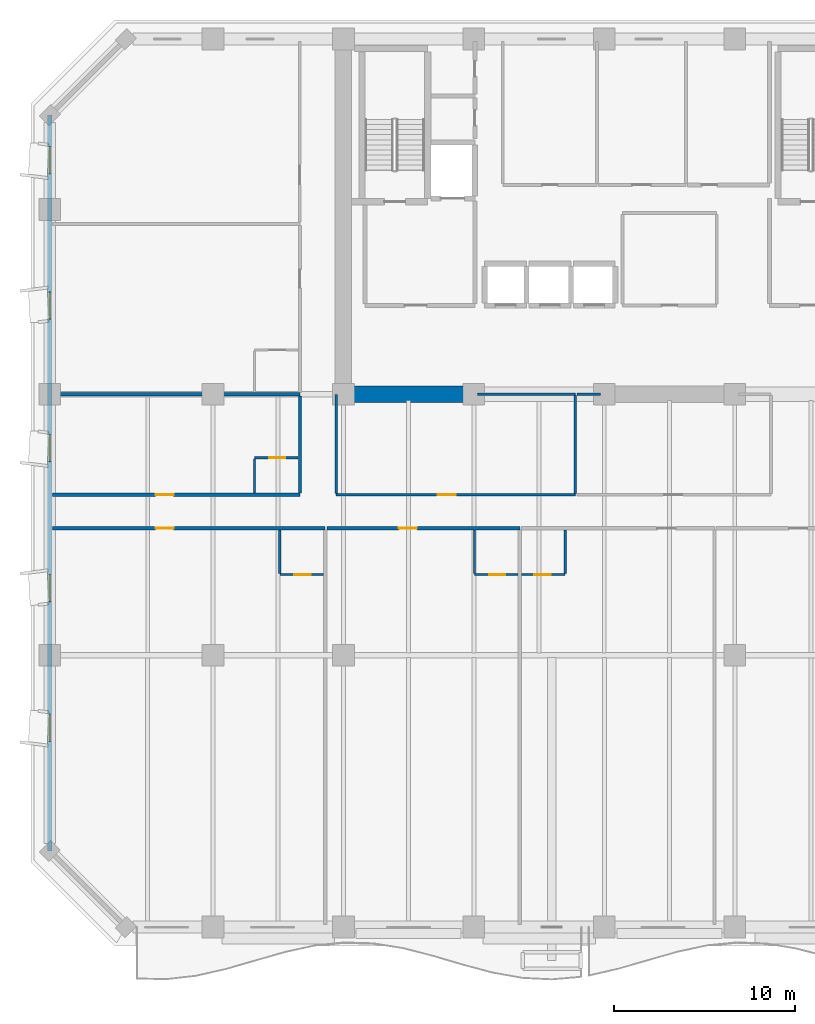
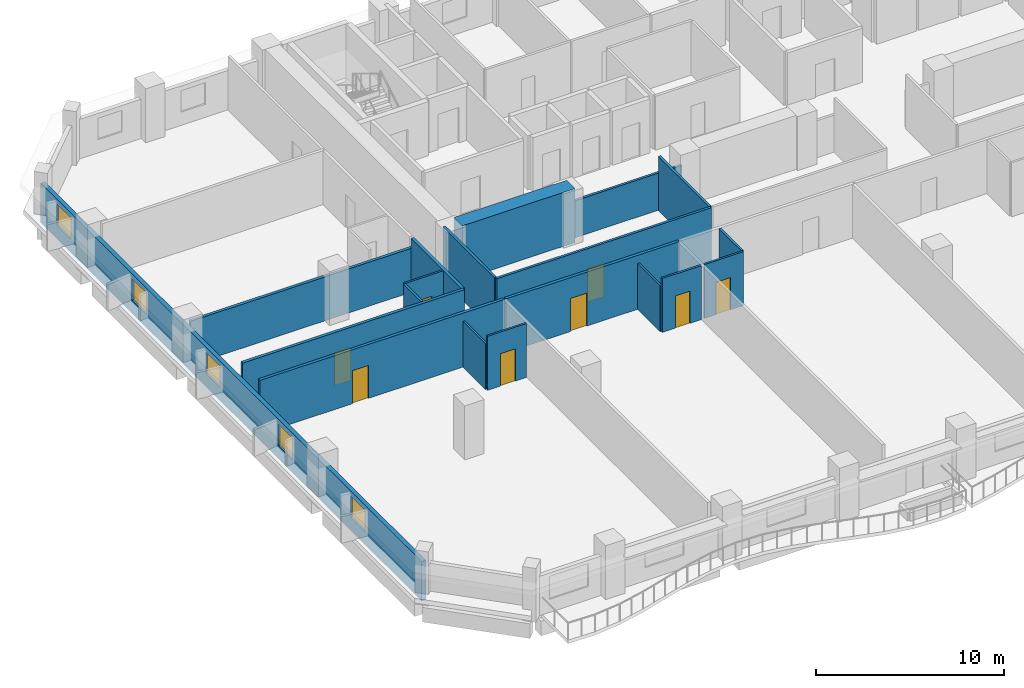
# One storey, part 4 of 15: 20 walls, 8 doors, 5 windows, 13 openings.
"""IFC4 building model written with IfcOpenShell, lengths in metres."""

from ifc_helpers import new_model, si_unit, direction, frame, frame_2d, origin, place, context, subcontext, project, spatial, rectangle, extrude, material, layer, layer_set, type_object, element, fill, save


model = new_model("IFC4")

# Units and contexts
model_context = context("Model", 3, precision=1e-05, world=origin(), true_north=direction((0.0, 1.0)))
body_context = subcontext(model_context, "Body", "Model", "MODEL_VIEW")
ifc_project = project(units=[si_unit("LENGTHUNIT", "METRE"), si_unit("AREAUNIT", "SQUARE_METRE"), si_unit("VOLUMEUNIT", "CUBIC_METRE"), si_unit("PLANEANGLEUNIT", "RADIAN"), si_unit("MASSUNIT", "GRAM", prefix="KILO")], contexts=[model_context])

# Site, building, storey
site_placement = place(None, origin())
site = spatial("IfcSite", under=ifc_project, at=site_placement, CompositionType="ELEMENT")
building_placement = place(site_placement, origin())
building = spatial("IfcBuilding", under=site, at=building_placement, Name="Kaelvorn Grand Hotel", CompositionType="ELEMENT")
storey_placement = place(building_placement, frame((0.0, 0.0, 100.550048828125)))
storey = spatial("IfcBuildingStorey", under=building, at=storey_placement, Name="L23", CompositionType="ELEMENT", Elevation=100.550048828125)

# Wall
ifc_material_1 = material(Name="Concrete C60/75", Category="concrete")
ifc_layer_1 = layer(ifc_material_1, 0.89990234375)
ifc_layer_set_1 = layer_set([ifc_layer_1], Name="Concrete C60/75")
wall_type_1 = type_object("IfcWallType", Name="WL-CORE-900-C60", PredefinedType="SHEAR", material=ifc_layer_set_1)
wall_1_placement = place(storey_placement, frame((16.655029296875, 29.39990234375, 0.0), z_axis=(0.0, 0.0, 1.0), x_axis=(1.0, 0.0, 0.0)))
element("IfcWall", 1, at=wall_1_placement, inside=storey, type_object=wall_type_1, Name="L23 Rear-Core Coupled Shear Pier S1", PredefinedType="SHEAR", context=body_context, shape_type="SweptSolid", body=[
    extrude(rectangle(XDim=6.945068359375, YDim=0.89990234375, at=frame_2d((3.47265625, 0.0))), origin(), (0.0, 0.0, 1.0), 3.510009765625),
])

# Wall, openings, windows
ifc_material_2 = material(Name="Concrete C40/50", Category="concrete")
ifc_layer_2 = layer(ifc_material_2, 0.260009765625)
ifc_layer_set_2 = layer_set([ifc_layer_2], Name="Concrete C40/50")
wall_type_2 = type_object("IfcWallType", Name="WL-EXT-260-C40", PredefinedType="SOLIDWALL", material=ifc_layer_set_2)
wall_2_placement = place(storey_placement, frame((0.0, 44.800048828125, 0.0), z_axis=(0.0, 0.0, 1.0), x_axis=(0.0, -1.0, 0.0)))
wall_2 = element("IfcWall", 2, at=wall_2_placement, inside=storey, type_object=wall_type_2, Name="L23 Exterior Architectural Concrete Wall 07", PredefinedType="SOLIDWALL", context=body_context, shape_type="SweptSolid", body=[
    extrude(rectangle(XDim=40.60009765625, YDim=0.260009765625, at=frame_2d((20.300048828125, 0.0))), origin(), (0.0, 0.0, 1.0), 2.56005859375),
])
opening_1_placement = place(wall_2_placement, frame((33.050048828125, 0.0, 0.85009765625)))
opening_1 = element("IfcOpeningElement", 3, at=opening_1_placement, cuts=wall_2, Name="Opening W10", PredefinedType="OPENING", context=body_context, shape_type="SweptSolid", body=[
    extrude(rectangle(XDim=1.5, YDim=1.39990234375, at=frame_2d((0.75, 0.699951171875))), frame((0.0, 0.14013671875, 0.0), z_axis=(0.0, -1.0, 0.0), x_axis=(1.0, 0.0, 0.0)), (0.0, 0.0, 1.0), 0.280029296875),
])
opening_2_placement = place(wall_2_placement, frame((25.35009765625, 0.0, 0.85009765625)))
opening_2 = element("IfcOpeningElement", 4, at=opening_2_placement, cuts=wall_2, Name="Opening W10", PredefinedType="OPENING", context=body_context, shape_type="SweptSolid", body=[
    extrude(rectangle(XDim=1.5, YDim=1.39990234375, at=frame_2d((0.75, 0.699951171875))), frame((0.0, 0.14013671875, 0.0), z_axis=(0.0, -1.0, 0.0), x_axis=(1.0, 0.0, 0.0)), (0.0, 0.0, 1.0), 0.280029296875),
])
opening_3_placement = place(wall_2_placement, frame((17.625, 0.0, 0.85009765625)))
opening_3 = element("IfcOpeningElement", 5, at=opening_3_placement, cuts=wall_2, Name="Opening W10", PredefinedType="OPENING", context=body_context, shape_type="SweptSolid", body=[
    extrude(rectangle(XDim=1.5, YDim=1.39990234375, at=frame_2d((0.75, 0.699951171875))), frame((0.0, 0.14013671875, 0.0), z_axis=(0.0, -1.0, 0.0), x_axis=(1.0, 0.0, 0.0)), (0.0, 0.0, 1.0), 0.280029296875),
])
opening_4_placement = place(wall_2_placement, frame((9.75, 0.0, 0.85009765625)))
opening_4 = element("IfcOpeningElement", 6, at=opening_4_placement, cuts=wall_2, Name="Opening W10", PredefinedType="OPENING", context=body_context, shape_type="SweptSolid", body=[
    extrude(rectangle(XDim=1.5, YDim=1.39990234375, at=frame_2d((0.75, 0.699951171875))), frame((0.0, 0.14013671875, 0.0), z_axis=(0.0, -1.0, 0.0), x_axis=(1.0, 0.0, 0.0)), (0.0, 0.0, 1.0), 0.280029296875),
])
opening_5_placement = place(wall_2_placement, frame((1.735107421875, 0.0, 0.85009765625)))
opening_5 = element("IfcOpeningElement", 7, at=opening_5_placement, cuts=wall_2, Name="Opening W10", PredefinedType="OPENING", context=body_context, shape_type="SweptSolid", body=[
    extrude(rectangle(XDim=1.5, YDim=1.39990234375, at=frame_2d((0.75, 0.699951171875))), frame((0.0, 0.14013671875, 0.0), z_axis=(0.0, -1.0, 0.0), x_axis=(1.0, 0.0, 0.0)), (0.0, 0.0, 1.0), 0.280029296875),
])
ifc_material_3 = material(Name="Laminated Low-E Glass", Category="glass")
window_type = type_object("IfcWindowType", Name="WIN-COR-1500x1400", PartitioningType="SINGLE_PANEL", PredefinedType="WINDOW", material=ifc_material_3)
window_1_placement = place(opening_1_placement, origin())
window_1 = element("IfcWindow", 8, at=window_1_placement, inside=storey, type_object=window_type, Name="L23 W Wing Tilted-Frame Ribbon Window W01", OverallHeight=1.39990234375, OverallWidth=1.5, PartitioningType="SINGLE_PANEL", PredefinedType="WINDOW", context=body_context, shape_type="SweptSolid", body=[
    extrude(rectangle(XDim=1.5, YDim=1.39990234375, at=frame_2d((0.75, 0.699951171875))), frame((0.0, 0.030029296875, 0.0), z_axis=(0.0, -1.0, 0.0), x_axis=(1.0, 0.0, 0.0)), (0.0, 0.0, 1.0), 0.06005859375),
])
fill(opening_1, window_1)
window_2_placement = place(opening_2_placement, origin())
window_2 = element("IfcWindow", 9, at=window_2_placement, inside=storey, type_object=window_type, Name="L23 W Wing Tilted-Frame Ribbon Window W02", OverallHeight=1.39990234375, OverallWidth=1.5, PartitioningType="SINGLE_PANEL", PredefinedType="WINDOW", context=body_context, shape_type="SweptSolid", body=[
    extrude(rectangle(XDim=1.5, YDim=1.39990234375, at=frame_2d((0.75, 0.699951171875))), frame((0.0, 0.030029296875, 0.0), z_axis=(0.0, -1.0, 0.0), x_axis=(1.0, 0.0, 0.0)), (0.0, 0.0, 1.0), 0.06005859375),
])
fill(opening_2, window_2)
window_3_placement = place(opening_3_placement, origin())
window_3 = element("IfcWindow", 10, at=window_3_placement, inside=storey, type_object=window_type, Name="L23 W Wing Tilted-Frame Ribbon Window W03", OverallHeight=1.39990234375, OverallWidth=1.5, PartitioningType="SINGLE_PANEL", PredefinedType="WINDOW", context=body_context, shape_type="SweptSolid", body=[
    extrude(rectangle(XDim=1.5, YDim=1.39990234375, at=frame_2d((0.75, 0.699951171875))), frame((0.0, 0.030029296875, 0.0), z_axis=(0.0, -1.0, 0.0), x_axis=(1.0, 0.0, 0.0)), (0.0, 0.0, 1.0), 0.06005859375),
])
fill(opening_3, window_3)
window_4_placement = place(opening_4_placement, origin())
window_4 = element("IfcWindow", 11, at=window_4_placement, inside=storey, type_object=window_type, Name="L23 W Wing Tilted-Frame Ribbon Window W04", OverallHeight=1.39990234375, OverallWidth=1.5, PartitioningType="SINGLE_PANEL", PredefinedType="WINDOW", context=body_context, shape_type="SweptSolid", body=[
    extrude(rectangle(XDim=1.5, YDim=1.39990234375, at=frame_2d((0.75, 0.699951171875))), frame((0.0, 0.030029296875, 0.0), z_axis=(0.0, -1.0, 0.0), x_axis=(1.0, 0.0, 0.0)), (0.0, 0.0, 1.0), 0.06005859375),
])
fill(opening_4, window_4)
window_5_placement = place(opening_5_placement, origin())
window_5 = element("IfcWindow", 12, at=window_5_placement, inside=storey, type_object=window_type, Name="L23 W Wing Tilted-Frame Ribbon Window W05", OverallHeight=1.39990234375, OverallWidth=1.5, PartitioningType="SINGLE_PANEL", PredefinedType="WINDOW", context=body_context, shape_type="SweptSolid", body=[
    extrude(rectangle(XDim=1.5, YDim=1.39990234375, at=frame_2d((0.75, 0.699951171875))), frame((0.0, 0.030029296875, 0.0), z_axis=(0.0, -1.0, 0.0), x_axis=(1.0, 0.0, 0.0)), (0.0, 0.0, 1.0), 0.06005859375),
])
fill(opening_5, window_5)

# Wall, opening, door
ifc_material_4 = material(Name="Moisture-Resistant Tile & Stud Board")
ifc_layer_3 = layer(ifc_material_4, 0.125)
ifc_layer_set_3 = layer_set([ifc_layer_3], Name="Moisture-Resistant Tile & Stud Board")
wall_type_3 = type_object("IfcWallType", Name="WL-PART-125-WET", PredefinedType="PARTITIONING", material=ifc_layer_set_3)
wall_3_placement = place(storey_placement, frame((12.69287109375, 19.449951171875, 0.0), z_axis=(0.0, 0.0, 1.0), x_axis=(1.0, 0.0, 0.0)))
wall_3 = element("IfcWall", 13, at=wall_3_placement, inside=storey, type_object=wall_type_3, Name="L23 En-suite Bathroom L23-01 S Partition", PredefinedType="PARTITIONING", context=body_context, shape_type="SweptSolid", body=[
    extrude(rectangle(XDim=2.405029296875, YDim=0.125, at=frame_2d((1.20263671875, 0.0))), origin(), (0.0, 0.0, 1.0), 3.510009765625),
])
opening_6_placement = place(wall_3_placement, frame((0.800048828125, 0.0, 0.0)))
opening_6 = element("IfcOpeningElement", 14, at=opening_6_placement, cuts=wall_3, Name="Opening DI4", PredefinedType="OPENING", context=body_context, shape_type="SweptSolid", body=[
    extrude(rectangle(XDim=0.89990234375, YDim=2.10009765625, at=frame_2d((0.449951171875, 1.050048828125))), frame((0.0, 0.072509765625, 0.0), z_axis=(0.0, -1.0, 0.0), x_axis=(1.0, 0.0, 0.0)), (0.0, 0.0, 1.0), 0.14501953125),
])
ifc_material_5 = material(Name="Timber Veneer Leaf", Category="wood")
door_type_1 = type_object("IfcDoorType", Name="DR-INT-BATH-900x2100", OperationType="NOTDEFINED", PredefinedType="DOOR", material=ifc_material_5)
door_1_placement = place(opening_6_placement, origin())
door_1 = element("IfcDoor", 15, at=door_1_placement, inside=storey, type_object=door_type_1, Name="L23 En-suite Bathroom L23-01 Door", OperationType="SINGLE_SWING_LEFT", OverallHeight=2.10009765625, OverallWidth=0.89990234375, PredefinedType="DOOR", context=body_context, shape_type="SweptSolid", body=[
    extrude(rectangle(XDim=0.89990234375, YDim=2.10009765625, at=frame_2d((0.449951171875, 1.050048828125))), frame((0.0, 0.02490234375, 0.0), z_axis=(0.0, -1.0, 0.0), x_axis=(1.0, 0.0, 0.0)), (0.0, 0.0, 1.0), 0.050048828125),
])
fill(opening_6, door_1)

# Wall
wall_4_placement = place(storey_placement, frame((12.69287109375, 19.517578125, 0.0), z_axis=(0.0, 0.0, 1.0), x_axis=(0.0, 1.0, 0.0)))
element("IfcWall", 16, at=wall_4_placement, inside=storey, type_object=wall_type_3, Name="L23 En-suite Bathroom L23-01 W Partition", PredefinedType="PARTITIONING", context=body_context, shape_type="SweptSolid", body=[
    extrude(rectangle(XDim=2.387451171875, YDim=0.125, at=frame_2d((1.19384765625, 0.0))), origin(), (0.0, 0.0, 1.0), 2.976806640625),
])

# Wall, opening, door
wall_5_placement = place(storey_placement, frame((23.435791015625, 19.449951171875, 0.0), z_axis=(0.0, 0.0, 1.0), x_axis=(1.0, 0.0, 0.0)))
wall_5 = element("IfcWall", 17, at=wall_5_placement, inside=storey, type_object=wall_type_3, Name="L23 En-suite Bathroom L23-02 S Partition", PredefinedType="PARTITIONING", context=body_context, shape_type="SweptSolid", body=[
    extrude(rectangle(XDim=2.405029296875, YDim=0.125, at=frame_2d((1.20263671875, 0.0))), origin(), (0.0, 0.0, 1.0), 3.510009765625),
])
opening_7_placement = place(wall_5_placement, frame((0.800048828125, 0.0, 0.0)))
opening_7 = element("IfcOpeningElement", 18, at=opening_7_placement, cuts=wall_5, Name="Opening DI4", PredefinedType="OPENING", context=body_context, shape_type="SweptSolid", body=[
    extrude(rectangle(XDim=0.89990234375, YDim=2.10009765625, at=frame_2d((0.449951171875, 1.050048828125))), frame((0.0, 0.072509765625, 0.0), z_axis=(0.0, -1.0, 0.0), x_axis=(1.0, 0.0, 0.0)), (0.0, 0.0, 1.0), 0.14501953125),
])
door_2_placement = place(opening_7_placement, origin())
door_2 = element("IfcDoor", 19, at=door_2_placement, inside=storey, type_object=door_type_1, Name="L23 En-suite Bathroom L23-02 Door", OperationType="SINGLE_SWING_LEFT", OverallHeight=2.10009765625, OverallWidth=0.89990234375, PredefinedType="DOOR", context=body_context, shape_type="SweptSolid", body=[
    extrude(rectangle(XDim=0.89990234375, YDim=2.10009765625, at=frame_2d((0.449951171875, 1.050048828125))), frame((0.0, 0.02490234375, 0.0), z_axis=(0.0, -1.0, 0.0), x_axis=(1.0, 0.0, 0.0)), (0.0, 0.0, 1.0), 0.050048828125),
])
fill(opening_7, door_2)

# Wall
wall_6_placement = place(storey_placement, frame((23.435791015625, 19.517578125, 0.0), z_axis=(0.0, 0.0, 1.0), x_axis=(0.0, 1.0, 0.0)))
element("IfcWall", 20, at=wall_6_placement, inside=storey, type_object=wall_type_3, Name="L23 En-suite Bathroom L23-02 W Partition", PredefinedType="PARTITIONING", context=body_context, shape_type="SweptSolid", body=[
    extrude(rectangle(XDim=2.387451171875, YDim=0.125, at=frame_2d((1.19384765625, 0.0))), origin(), (0.0, 0.0, 1.0), 2.976806640625),
])

# Wall, opening, door
wall_7_placement = place(storey_placement, frame((26.03076171875, 19.449951171875, 0.0), z_axis=(0.0, 0.0, 1.0), x_axis=(1.0, 0.0, 0.0)))
wall_7 = element("IfcWall", 21, at=wall_7_placement, inside=storey, type_object=wall_type_3, Name="L23 En-suite Bathroom L23-03 S Partition", PredefinedType="PARTITIONING", context=body_context, shape_type="SweptSolid", body=[
    extrude(rectangle(XDim=2.405029296875, YDim=0.125, at=frame_2d((1.20263671875, 0.0))), origin(), (0.0, 0.0, 1.0), 3.510009765625),
])
opening_8_placement = place(wall_7_placement, frame((0.705078125, 0.0, 0.0)))
opening_8 = element("IfcOpeningElement", 22, at=opening_8_placement, cuts=wall_7, Name="Opening DI4", PredefinedType="OPENING", context=body_context, shape_type="SweptSolid", body=[
    extrude(rectangle(XDim=0.89990234375, YDim=2.10009765625, at=frame_2d((0.449951171875, 1.050048828125))), frame((0.0, 0.072509765625, 0.0), z_axis=(0.0, -1.0, 0.0), x_axis=(1.0, 0.0, 0.0)), (0.0, 0.0, 1.0), 0.14501953125),
])
door_3_placement = place(opening_8_placement, origin())
door_3 = element("IfcDoor", 23, at=door_3_placement, inside=storey, type_object=door_type_1, Name="L23 En-suite Bathroom L23-03 Door", OperationType="SINGLE_SWING_LEFT", OverallHeight=2.10009765625, OverallWidth=0.89990234375, PredefinedType="DOOR", context=body_context, shape_type="SweptSolid", body=[
    extrude(rectangle(XDim=0.89990234375, YDim=2.10009765625, at=frame_2d((0.449951171875, 1.050048828125))), frame((0.0, 0.02490234375, 0.0), z_axis=(0.0, -1.0, 0.0), x_axis=(1.0, 0.0, 0.0)), (0.0, 0.0, 1.0), 0.050048828125),
])
fill(opening_8, door_3)

# Wall
wall_8_placement = place(storey_placement, frame((28.435791015625, 19.517578125, 0.0), z_axis=(0.0, 0.0, 1.0), x_axis=(0.0, 1.0, 0.0)))
element("IfcWall", 24, at=wall_8_placement, inside=storey, type_object=wall_type_3, Name="L23 En-suite Bathroom L23-03 E Partition", PredefinedType="PARTITIONING", context=body_context, shape_type="SweptSolid", body=[
    extrude(rectangle(XDim=2.387451171875, YDim=0.125, at=frame_2d((1.19384765625, 0.0))), origin(), (0.0, 0.0, 1.0), 3.510009765625),
])

# Wall, opening, door
wall_9_placement = place(storey_placement, frame((11.300048828125, 25.89990234375, 0.0), z_axis=(0.0, 0.0, 1.0), x_axis=(1.0, 0.0, 0.0)))
wall_9 = element("IfcWall", 25, at=wall_9_placement, inside=storey, type_object=wall_type_3, Name="L23 En-suite Bathroom L23-08 N Partition", PredefinedType="PARTITIONING", context=body_context, shape_type="SweptSolid", body=[
    extrude(rectangle(XDim=2.405029296875, YDim=0.125, at=frame_2d((1.20263671875, 0.0))), origin(), (0.0, 0.0, 1.0), 3.510009765625),
])
opening_9_placement = place(wall_9_placement, frame((0.800048828125, 0.0, 0.0)))
opening_9 = element("IfcOpeningElement", 26, at=opening_9_placement, cuts=wall_9, Name="Opening DI4", PredefinedType="OPENING", context=body_context, shape_type="SweptSolid", body=[
    extrude(rectangle(XDim=0.89990234375, YDim=2.10009765625, at=frame_2d((0.449951171875, 1.050048828125))), frame((0.0, 0.072509765625, 0.0), z_axis=(0.0, -1.0, 0.0), x_axis=(1.0, 0.0, 0.0)), (0.0, 0.0, 1.0), 0.14501953125),
])
door_4_placement = place(opening_9_placement, origin())
door_4 = element("IfcDoor", 27, at=door_4_placement, inside=storey, type_object=door_type_1, Name="L23 En-suite Bathroom L23-08 Door", OperationType="SINGLE_SWING_LEFT", OverallHeight=2.10009765625, OverallWidth=0.89990234375, PredefinedType="DOOR", context=body_context, shape_type="SweptSolid", body=[
    extrude(rectangle(XDim=0.89990234375, YDim=2.10009765625, at=frame_2d((0.449951171875, 1.050048828125))), frame((0.0, 0.02490234375, 0.0), z_axis=(0.0, -1.0, 0.0), x_axis=(1.0, 0.0, 0.0)), (0.0, 0.0, 1.0), 0.050048828125),
])
fill(opening_9, door_4)

# Wall
wall_10_placement = place(storey_placement, frame((11.300048828125, 23.945068359375, 0.0), z_axis=(0.0, 0.0, 1.0), x_axis=(0.0, 1.0, 0.0)))
element("IfcWall", 28, at=wall_10_placement, inside=storey, type_object=wall_type_3, Name="L23 En-suite Bathroom L23-08 W Partition", PredefinedType="PARTITIONING", context=body_context, shape_type="SweptSolid", body=[
    extrude(rectangle(XDim=1.887451171875, YDim=0.125, at=frame_2d((0.94384765625, 0.0))), origin(), (0.0, 0.0, 1.0), 3.510009765625),
])

# Wall, opening, door
ifc_material_6 = material(Name="Acoustic Gypsum & Stud Partition")
ifc_layer_4 = layer(ifc_material_6, 0.14990234375)
ifc_layer_set_4 = layer_set([ifc_layer_4], Name="Acoustic Gypsum & Stud Partition")
wall_type_4 = type_object("IfcWallType", Name="WL-PART-150-EI60", PredefinedType="PARTITIONING", material=ifc_layer_set_4)
wall_11_placement = place(storey_placement, frame((15.800048828125, 23.85009765625, 0.0), z_axis=(0.0, 0.0, 1.0), x_axis=(1.0, 0.0, 0.0)))
wall_11 = element("IfcWall", 29, at=wall_11_placement, inside=storey, type_object=wall_type_4, Name="L23 Club Billiards Lounge S Partition", PredefinedType="PARTITIONING", context=body_context, shape_type="SweptSolid", body=[
    extrude(rectangle(XDim=13.199951171875, YDim=0.14990234375, at=frame_2d((6.60009765625, 0.0))), origin(), (0.0, 0.0, 1.0), 3.510009765625),
])
opening_10_placement = place(wall_11_placement, frame((5.60009765625, 0.0, 0.0)))
opening_10 = element("IfcOpeningElement", 30, at=opening_10_placement, cuts=wall_11, Name="Opening DI3", PredefinedType="OPENING", context=body_context, shape_type="SweptSolid", body=[
    extrude(rectangle(XDim=1.0, YDim=2.14990234375, at=frame_2d((0.5, 1.074951171875))), frame((0.0, 0.0849609375, 0.0), z_axis=(0.0, -1.0, 0.0), x_axis=(1.0, 0.0, 0.0)), (0.0, 0.0, 1.0), 0.169921875),
])
ifc_material_7 = material(Name="Timber Veneer Fire Leaf", Category="wood")
door_type_2 = type_object("IfcDoorType", Name="DR-INT-GUEST-1000x2150", OperationType="NOTDEFINED", PredefinedType="DOOR", material=ifc_material_7)
door_5_placement = place(opening_10_placement, origin())
door_5 = element("IfcDoor", 31, at=door_5_placement, inside=storey, type_object=door_type_2, Name="L23 Club Billiards Lounge Door", OperationType="SINGLE_SWING_RIGHT", OverallHeight=2.14990234375, OverallWidth=1.0, PredefinedType="DOOR", context=body_context, shape_type="SweptSolid", body=[
    extrude(rectangle(XDim=1.0, YDim=2.14990234375, at=frame_2d((0.5, 1.074951171875))), frame((0.0, 0.02490234375, 0.0), z_axis=(0.0, -1.0, 0.0), x_axis=(1.0, 0.0, 0.0)), (0.0, 0.0, 1.0), 0.050048828125),
])
fill(opening_10, door_5)

# Walls
wall_12_placement = place(storey_placement, frame((23.610107421875, 29.39990234375, 0.0), z_axis=(0.0, 0.0, 1.0), x_axis=(1.0, 0.0, 0.0)))
element("IfcWall", 32, at=wall_12_placement, inside=storey, type_object=wall_type_4, Name="L23 Club Billiards Lounge N Partition", PredefinedType="PARTITIONING", context=body_context, shape_type="SweptSolid", body=[
    extrude(rectangle(XDim=5.389892578125, YDim=0.14990234375, at=frame_2d((2.69482421875, 0.0))), origin(), (0.0, 0.0, 1.0), 2.409912109375),
])
wall_13_placement = place(storey_placement, frame((15.800048828125, 23.929931640625, 0.0), z_axis=(0.0, 0.0, 1.0), x_axis=(0.0, 1.0, 0.0)))
element("IfcWall", 33, at=wall_13_placement, inside=storey, type_object=wall_type_4, Name="L23 Club Billiards Lounge W Partition", PredefinedType="PARTITIONING", context=body_context, shape_type="SweptSolid", body=[
    extrude(rectangle(XDim=5.4599609375, YDim=0.14990234375, at=frame_2d((2.72998046875, 0.0))), origin(), (0.0, 0.0, 1.0), 3.510009765625),
])
wall_14_placement = place(storey_placement, frame((29.0, 23.929931640625, 0.0), z_axis=(0.0, 0.0, 1.0), x_axis=(0.0, 1.0, 0.0)))
element("IfcWall", 34, at=wall_14_placement, inside=storey, type_object=wall_type_4, Name="L23 Club Billiards Lounge E Partition", PredefinedType="PARTITIONING", context=body_context, shape_type="SweptSolid", body=[
    extrude(rectangle(XDim=5.39013671875, YDim=0.14990234375, at=frame_2d((2.695068359375, 0.0))), origin(), (0.0, 0.0, 1.0), 3.510009765625),
])
wall_15_placement = place(storey_placement, frame((29.080078125, 29.39990234375, 0.0), z_axis=(0.0, 0.0, 1.0), x_axis=(1.0, 0.0, 0.0)))
element("IfcWall", 35, at=wall_15_placement, inside=storey, type_object=wall_type_4, Name="L23 Private Chef Kitchen N Partition (1)", PredefinedType="PARTITIONING", context=body_context, shape_type="SweptSolid", body=[
    extrude(rectangle(XDim=1.309814453125, YDim=0.14990234375, at=frame_2d((0.65478515625, 0.0))), origin(), (0.0, 0.0, 1.0), 2.409912109375),
])

# Wall, opening, door
ifc_layer_5 = layer(ifc_material_6, 0.179931640625)
ifc_layer_set_5 = layer_set([ifc_layer_5], Name="Acoustic Gypsum & Stud Partition")
wall_type_5 = type_object("IfcWallType", Name="WL-PART-180-EI60", PredefinedType="PARTITIONING", material=ifc_layer_set_5)
wall_16_placement = place(storey_placement, frame((0.14990234375, 22.0, 0.0), z_axis=(0.0, 0.0, 1.0), x_axis=(1.0, 0.0, 0.0)))
wall_16 = element("IfcWall", 36, at=wall_16_placement, inside=storey, type_object=wall_type_5, Name="L23 Presidential Sky Suite L23-01 N Partition", PredefinedType="PARTITIONING", context=body_context, shape_type="SweptSolid", body=[
    extrude(rectangle(XDim=15.04296875, YDim=0.179931640625, at=frame_2d((7.521484375, 0.0))), origin(), (0.0, 0.0, 1.0), 3.510009765625),
])
opening_11_placement = place(wall_16_placement, frame((5.68505859375, 0.0, 0.0)))
opening_11 = element("IfcOpeningElement", 37, at=opening_11_placement, cuts=wall_16, Name="Opening DI3", PredefinedType="OPENING", context=body_context, shape_type="SweptSolid", body=[
    extrude(rectangle(XDim=1.0, YDim=2.14990234375, at=frame_2d((0.5, 1.074951171875))), frame((0.0, 0.10009765625, 0.0), z_axis=(0.0, -1.0, 0.0), x_axis=(1.0, 0.0, 0.0)), (0.0, 0.0, 1.0), 0.199951171875),
])
door_6_placement = place(opening_11_placement, origin())
door_6 = element("IfcDoor", 38, at=door_6_placement, inside=storey, type_object=door_type_2, Name="L23 Presidential Sky Suite L23-01 Door", OperationType="SINGLE_SWING_RIGHT", OverallHeight=2.14990234375, OverallWidth=1.0, PredefinedType="DOOR", context=body_context, shape_type="SweptSolid", body=[
    extrude(rectangle(XDim=1.0, YDim=2.14990234375, at=frame_2d((0.5, 1.074951171875))), frame((0.0, 0.02490234375, 0.0), z_axis=(0.0, -1.0, 0.0), x_axis=(1.0, 0.0, 0.0)), (0.0, 0.0, 1.0), 0.050048828125),
])
fill(opening_11, door_6)

wall_17_placement = place(storey_placement, frame((15.287841796875, 22.0, 0.0), z_axis=(0.0, 0.0, 1.0), x_axis=(1.0, 0.0, 0.0)))
wall_17 = element("IfcWall", 39, at=wall_17_placement, inside=storey, type_object=wall_type_5, Name="L23 Deluxe Panoramic Suite L23-02 N Partition", PredefinedType="PARTITIONING", context=body_context, shape_type="SweptSolid", body=[
    extrude(rectangle(XDim=10.64794921875, YDim=0.179931640625, at=frame_2d((5.323974609375, 0.0))), origin(), (0.0, 0.0, 1.0), 3.510009765625),
])
opening_12_placement = place(wall_17_placement, frame((3.969970703125, 0.0, 0.0)))
opening_12 = element("IfcOpeningElement", 40, at=opening_12_placement, cuts=wall_17, Name="Opening DI3", PredefinedType="OPENING", context=body_context, shape_type="SweptSolid", body=[
    extrude(rectangle(XDim=1.0, YDim=2.14990234375, at=frame_2d((0.5, 1.074951171875))), frame((0.0, 0.10009765625, 0.0), z_axis=(0.0, -1.0, 0.0), x_axis=(1.0, 0.0, 0.0)), (0.0, 0.0, 1.0), 0.199951171875),
])
door_7_placement = place(opening_12_placement, origin())
door_7 = element("IfcDoor", 41, at=door_7_placement, inside=storey, type_object=door_type_2, Name="L23 Deluxe Panoramic Suite L23-02 Door", OperationType="SINGLE_SWING_RIGHT", OverallHeight=2.14990234375, OverallWidth=1.0, PredefinedType="DOOR", context=body_context, shape_type="SweptSolid", body=[
    extrude(rectangle(XDim=1.0, YDim=2.14990234375, at=frame_2d((0.5, 1.074951171875))), frame((0.0, 0.02490234375, 0.0), z_axis=(0.0, -1.0, 0.0), x_axis=(1.0, 0.0, 0.0)), (0.0, 0.0, 1.0), 0.050048828125),
])
fill(opening_12, door_7)

wall_18_placement = place(storey_placement, frame((0.14990234375, 23.85009765625, 0.0), z_axis=(0.0, 0.0, 1.0), x_axis=(1.0, 0.0, 0.0)))
wall_18 = element("IfcWall", 42, at=wall_18_placement, inside=storey, type_object=wall_type_5, Name="L23 West Chamfer Corner Suite L23-08 S Partition", PredefinedType="PARTITIONING", context=body_context, shape_type="SweptSolid", body=[
    extrude(rectangle(XDim=13.650146484375, YDim=0.179931640625, at=frame_2d((6.8251953125, 0.0))), origin(), (0.0, 0.0, 1.0), 3.510009765625),
])
opening_13_placement = place(wall_18_placement, frame((5.68505859375, 0.0, 0.0)))
opening_13 = element("IfcOpeningElement", 43, at=opening_13_placement, cuts=wall_18, Name="Opening DI3", PredefinedType="OPENING", context=body_context, shape_type="SweptSolid", body=[
    extrude(rectangle(XDim=1.0, YDim=2.14990234375, at=frame_2d((0.5, 1.074951171875))), frame((0.0, 0.10009765625, 0.0), z_axis=(0.0, -1.0, 0.0), x_axis=(1.0, 0.0, 0.0)), (0.0, 0.0, 1.0), 0.199951171875),
])
door_8_placement = place(opening_13_placement, origin())
door_8 = element("IfcDoor", 44, at=door_8_placement, inside=storey, type_object=door_type_2, Name="L23 West Chamfer Corner Suite L23-08 Door", OperationType="SINGLE_SWING_RIGHT", OverallHeight=2.14990234375, OverallWidth=1.0, PredefinedType="DOOR", context=body_context, shape_type="SweptSolid", body=[
    extrude(rectangle(XDim=1.0, YDim=2.14990234375, at=frame_2d((0.5, 1.074951171875))), frame((0.0, 0.02490234375, 0.0), z_axis=(0.0, -1.0, 0.0), x_axis=(1.0, 0.0, 0.0)), (0.0, 0.0, 1.0), 0.050048828125),
])
fill(opening_13, door_8)

# Walls
wall_19_placement = place(storey_placement, frame((0.14990234375, 29.39990234375, 0.0), z_axis=(0.0, 0.0, 1.0), x_axis=(1.0, 0.0, 0.0)))
element("IfcWall", 45, at=wall_19_placement, inside=storey, type_object=wall_type_5, Name="L23 West Chamfer Corner Suite L23-08 N Partition", PredefinedType="PARTITIONING", context=body_context, shape_type="SweptSolid", body=[
    extrude(rectangle(XDim=13.650146484375, YDim=0.179931640625, at=frame_2d((6.8251953125, 0.0))), origin(), (0.0, 0.0, 1.0), 2.85986328125),
])
wall_20_placement = place(storey_placement, frame((13.800048828125, 23.945068359375, 0.0), z_axis=(0.0, 0.0, 1.0), x_axis=(0.0, 1.0, 0.0)))
element("IfcWall", 46, at=wall_20_placement, inside=storey, type_object=wall_type_5, Name="L23 West Chamfer Corner Suite L23-08 E Partition", PredefinedType="PARTITIONING", context=body_context, shape_type="SweptSolid", body=[
    extrude(rectangle(XDim=5.35986328125, YDim=0.179931640625, at=frame_2d((2.679931640625, 0.0))), origin(), (0.0, 0.0, 1.0), 3.510009765625),
])

save(model, "model.ifc")
